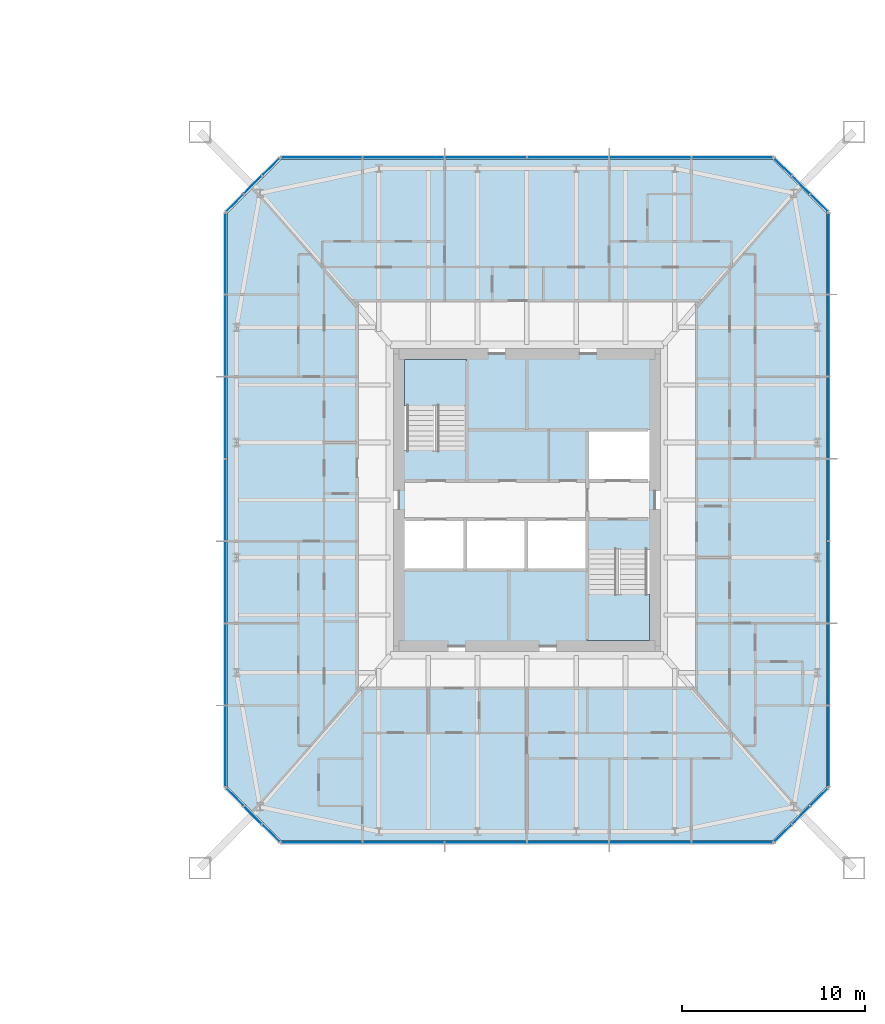
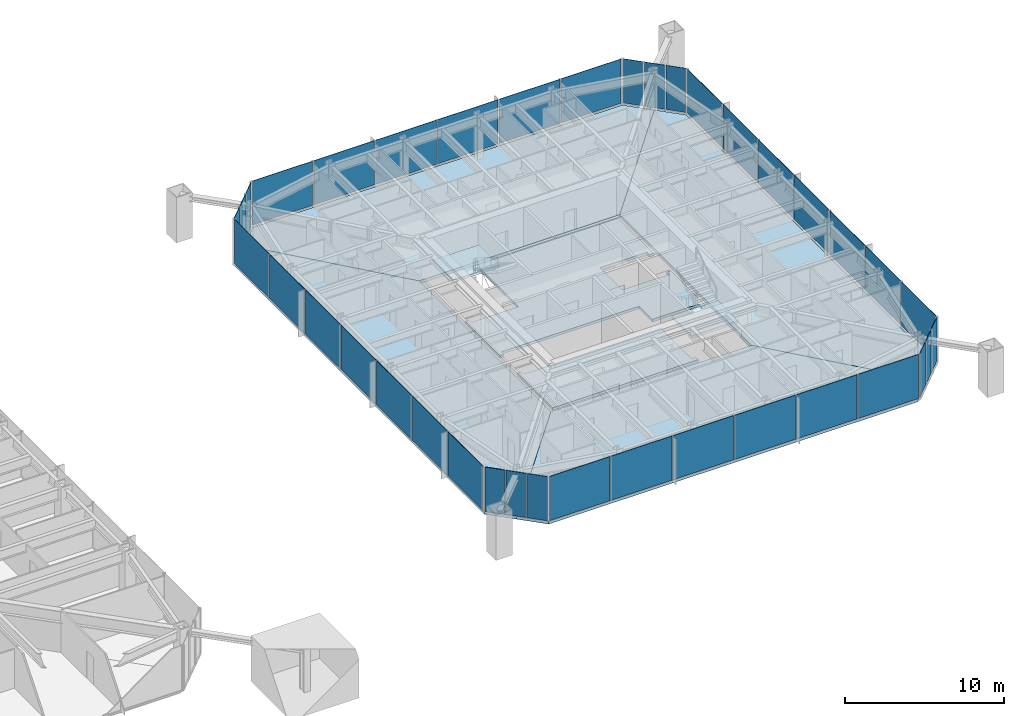
# One storey, part 13 of 26: 38 plates, 8 slabs, 10 elements without a shape of their own.
"""IFC4 building model written with IfcOpenShell, lengths in metres."""

import ifcopenshell
import ifcopenshell.guid

model = None  # the IFC model being written
_history = None  # IfcOwnerHistory: only IFC2X3 demands one
_inside = {}  # id of a spatial element -> (the spatial element, [elements in it])
_under = {}  # id of a project, library or spatial element -> (it, [spatial elements below it])
_declared = {}  # id of a project -> (the project, [libraries it declares])
_typed = {}  # id of a type object -> (the type object, [elements of that type])
_made_of = {}  # id of a material, layer set ... -> (it, [elements and type objects made of it])


def new_model(schema):
    """Start an empty IFC model of exactly this schema.

    Asked for "IFC4X3", IfcOpenShell would pick the latest addendum, in which some entities
    have other attributes; the version numbers below select the first issue.
    IFC2X3 requires an IfcOwnerHistory on every rooted entity: one is made here for all.
    """
    global model, _history
    if schema == "IFC4X3":
        model = ifcopenshell.file(schema_version=(4, 3, 0, 0))
    else:
        model = ifcopenshell.file(schema=schema)
    _inside.clear()
    _under.clear()
    _declared.clear()
    _typed.clear()
    _made_of.clear()
    _history = None
    if model.schema == "IFC2X3":
        org = make("IfcOrganization", Name="unknown")
        user = make(
            "IfcPersonAndOrganization",
            ThePerson=make("IfcPerson", FamilyName="unknown"),
            TheOrganization=org,
        )
        app = make(
            "IfcApplication",
            ApplicationDeveloper=org,
            Version="unknown",
            ApplicationFullName="unknown",
            ApplicationIdentifier="unknown",
        )
        _history = make(
            "IfcOwnerHistory",
            OwningUser=user,
            OwningApplication=app,
            ChangeAction="ADDED",
            CreationDate=0,
        )
    return model


def make(cls, **values):
    """One entity of the class cls with the attributes given. An attribute that is None is left unset."""
    return model.create_entity(
        cls, **{name: value for name, value in values.items() if value is not None}
    )


def rooted(cls, **values):
    """An entity with a GlobalId (a new one), such as an element, a storey or a relation."""
    return make(cls, GlobalId=ifcopenshell.guid.new(), OwnerHistory=_history, **values)


def si_unit(unit_type, name, prefix=None):
    """IfcSIUnit, for example si_unit("LENGTHUNIT", "METRE", prefix="MILLI")."""
    return make("IfcSIUnit", UnitType=unit_type, Prefix=prefix, Name=name)


def assignment(units):
    """IfcUnitAssignment: the units of a project."""
    return None if units is None else make("IfcUnitAssignment", Units=units)


def point(xyz):
    """IfcCartesianPoint."""
    return None if xyz is None else make("IfcCartesianPoint", Coordinates=xyz)


def direction(xyz):
    """IfcDirection."""
    return None if xyz is None else make("IfcDirection", DirectionRatios=xyz)


def frame(location, z_axis=None, x_axis=None):
    """IfcAxis2Placement3D, a coordinate frame: its origin and axes. An axis left out is left unset."""
    return make(
        "IfcAxis2Placement3D",
        Location=point(location),
        Axis=direction(z_axis),
        RefDirection=direction(x_axis),
    )


def frame_2d(location, x_axis=None):
    """IfcAxis2Placement2D, a coordinate frame in the plane: its origin and x axis."""
    return make(
        "IfcAxis2Placement2D", Location=point(location), RefDirection=direction(x_axis)
    )


def origin():
    """The frame at (0, 0, 0) with its axes left unset."""
    return frame((0.0, 0.0, 0.0))


def origin_2d():
    """The frame at (0, 0) in the plane with its x axis left unset."""
    return frame_2d((0.0, 0.0))


def place(relative_to, where):
    """IfcLocalPlacement: puts the frame where relative to a parent placement (None: the world)."""
    return make(
        "IfcLocalPlacement", PlacementRelTo=relative_to, RelativePlacement=where
    )


def context(
    kind, dimensions, precision=None, world=None, true_north=None, identifier=None
):
    """IfcGeometricRepresentationContext, for example the 3D "Model" context."""
    return make(
        "IfcGeometricRepresentationContext",
        ContextIdentifier=identifier,
        ContextType=kind,
        CoordinateSpaceDimension=dimensions,
        Precision=precision,
        WorldCoordinateSystem=world,
        TrueNorth=true_north,
    )


def subcontext(parent, identifier, kind, view, scale=None):
    """IfcGeometricRepresentationSubContext, for example "Body" below "Model"."""
    return make(
        "IfcGeometricRepresentationSubContext",
        ContextIdentifier=identifier,
        ContextType=kind,
        ParentContext=parent,
        TargetScale=scale,
        TargetView=view,
    )


def project(units=None, contexts=None):
    """IfcProject with its units and contexts."""
    return rooted(
        "IfcProject",
        Name="project",
        RepresentationContexts=contexts,
        UnitsInContext=assignment(units),
    )


def spatial(cls, under=None, at=None, **own):
    """A site, building, storey or space (cls), placed at a placement, below another one or the project."""
    s = rooted(cls, ObjectPlacement=at, **own)
    if under is not None:
        _under.setdefault(under.id(), (under, []))[1].append(s)
    return s


def polyline(points):
    """IfcPolyline through the points."""
    return make("IfcPolyline", Points=[point(p) for p in points])


def profile(cls, at=None, kind="AREA", **sizes):
    """A parametric profile (cls). Its sizes go by their IFC names, for example OverallWidth=200.0."""
    return make(cls, ProfileType=kind, Position=at, **sizes)


def rectangle(**sizes):
    """IfcRectangleProfileDef."""
    return profile("IfcRectangleProfileDef", **sizes)


def outline(outer, holes=None, kind="AREA"):
    """IfcArbitraryClosedProfileDef: a profile drawn as a closed curve; with holes, ...WithVoids."""
    if holes is None:
        return make("IfcArbitraryClosedProfileDef", ProfileType=kind, OuterCurve=outer)
    return make(
        "IfcArbitraryProfileDefWithVoids",
        ProfileType=kind,
        OuterCurve=outer,
        InnerCurves=holes,
    )


def extrude(swept, where, along, depth):
    """IfcExtrudedAreaSolid: the profile swept, set in the frame where, extruded along a direction by depth."""
    return make(
        "IfcExtrudedAreaSolid",
        SweptArea=swept,
        Position=where,
        ExtrudedDirection=direction(along),
        Depth=depth,
    )


def shape(context_of_items, identifier, shape_type, items):
    """IfcShapeRepresentation: the items that make up one representation, for example the "Body"."""
    return make(
        "IfcShapeRepresentation",
        ContextOfItems=context_of_items,
        RepresentationIdentifier=identifier,
        RepresentationType=shape_type,
        Items=items,
    )


def material(Name=None, Category=None):
    """IfcMaterial."""
    return make("IfcMaterial", Name=Name, Category=Category)


def layer(
    of_material, thickness, ventilated=None, Name=None, Category=None, Priority=None
):
    """IfcMaterialLayer: one layer of a wall or slab, of a material (None: an air gap)."""
    return make(
        "IfcMaterialLayer",
        Material=of_material,
        LayerThickness=thickness,
        IsVentilated=ventilated,
        Name=Name,
        Category=Category,
        Priority=Priority,
    )


def layer_set(layers, Name=None):
    """IfcMaterialLayerSet."""
    return make("IfcMaterialLayerSet", MaterialLayers=layers, LayerSetName=Name)


def constituent(of_material, Name=None, Category=None, fraction=None):
    """IfcMaterialConstituent: one of the materials an element consists of."""
    return make(
        "IfcMaterialConstituent",
        Name=Name,
        Material=of_material,
        Fraction=fraction,
        Category=Category,
    )


def constituent_set(constituents=None, Name=None):
    """IfcMaterialConstituentSet."""
    return make(
        "IfcMaterialConstituentSet", Name=Name, MaterialConstituents=constituents
    )


def made_of(thing, what):
    """Note that an element or type object is made of a material, layer set ...; save() writes the relation."""
    if what is not None:
        _made_of.setdefault(what.id(), (what, []))[1].append(thing)
    return thing


def type_object(cls, material=None, **own):
    """A type object (cls), such as IfcWallType, which elements share."""
    return made_of(rooted(cls, **own), material)


def element(
    cls,
    number,
    at=None,
    inside=None,
    cuts=None,
    type_object=None,
    material=None,
    context=None,
    identifier="Body",
    shape_type=None,
    held_by="IfcProductDefinitionShape",
    body=None,
    shapes=None,
    **own,
):
    """One element of the class cls, such as IfcWall. Its Tag is "e" and its number.

    at: its placement. inside: the storey or other place that contains it. cuts: it is an
    opening in that element (IfcRelVoidsElement). A single representation is given by context,
    identifier, shape_type and body (its items); several are given by shapes. held_by: the class
    of the entity that holds the representations. save() writes the other relations.
    """
    e = rooted(cls, Tag="e%d" % number, ObjectPlacement=at, **own)
    if body is not None:
        shapes = [shape(context, identifier, shape_type, body)]
    if shapes is not None:
        e.Representation = make(held_by, Representations=shapes)
    if inside is not None:
        _inside.setdefault(inside.id(), (inside, []))[1].append(e)
    if cuts is not None:
        rooted(
            "IfcRelVoidsElement", RelatingBuildingElement=cuts, RelatedOpeningElement=e
        )
    if type_object is not None:
        _typed.setdefault(type_object.id(), (type_object, []))[1].append(e)
    return made_of(e, material)


def aggregate(whole, parts):
    """IfcRelAggregates: a whole, such as a stair, and the parts it consists of."""
    return rooted("IfcRelAggregates", RelatingObject=whole, RelatedObjects=parts)


def save(model, path):
    """Write the relations noted so far, then the file.

    IfcRelAggregates (storeys below a building ...), IfcRelContainedInSpatialStructure (elements
    in a storey), IfcRelDefinesByType, IfcRelAssociatesMaterial and IfcRelDeclares: one each for
    every whole, place, type object, material and project.
    """
    for whole, parts in _under.values():
        aggregate(whole, parts)
    for where, things in _inside.values():
        rooted(
            "IfcRelContainedInSpatialStructure",
            RelatedElements=things,
            RelatingStructure=where,
        )
    for kind, things in _typed.values():
        rooted("IfcRelDefinesByType", RelatedObjects=things, RelatingType=kind)
    for what, things in _made_of.values():
        rooted("IfcRelAssociatesMaterial", RelatedObjects=things, RelatingMaterial=what)
    for by, libraries in _declared.values():
        rooted("IfcRelDeclares", RelatingContext=by, RelatedDefinitions=libraries)
    model.write(path)


model = new_model("IFC4")

# Units and contexts
model_context = context("Model", 3, precision=1e-05, world=origin(), true_north=direction((0.0, 1.0)))
body_context = subcontext(model_context, "Body", "Model", "MODEL_VIEW")
ifc_project = project(units=[si_unit("LENGTHUNIT", "METRE"), si_unit("AREAUNIT", "SQUARE_METRE"), si_unit("VOLUMEUNIT", "CUBIC_METRE"), si_unit("PLANEANGLEUNIT", "RADIAN"), si_unit("MASSUNIT", "GRAM", prefix="KILO")], contexts=[model_context])

# Site, building, storey
site_placement = place(None, origin())
site = spatial("IfcSite", under=ifc_project, at=site_placement, CompositionType="ELEMENT")
building_placement = place(site_placement, origin())
building = spatial("IfcBuilding", under=site, at=building_placement, Name="Iwan Alto Co-Living Towers", CompositionType="ELEMENT")
storey_placement = place(building_placement, frame((0.0, 0.0, 36.0)))
storey = spatial("IfcBuildingStorey", under=building, at=storey_placement, Name="L09", CompositionType="ELEMENT", Elevation=36.0)

# Slabs
ifc_material_1 = material(Name="Concrete f'c 30 MPa", Category="concrete")
ifc_layer_1 = layer(ifc_material_1, 0.199951171875)
ifc_layer_set_1 = layer_set([ifc_layer_1], Name="CORE FLOOR SLAB 200")
slab_type_1 = type_object("IfcSlabType", Name="CORE FLOOR SLAB 200", PredefinedType="FLOOR", material=ifc_layer_set_1)
slab_1_placement = place(storey_placement, frame((0.0, 0.0, -0.199951171875)))
element("IfcSlab", 1, at=slab_1_placement, inside=storey, type_object=slab_type_1, Name="T2 core floor L09", PredefinedType="FLOOR", context=body_context, shape_type="SweptSolid", body=[
    extrude(outline(polyline([(70.0, -3.030029296875), (69.699951171875, -3.030029296875), (69.699951171875, -2.719970703125), (66.300048828125, -2.719970703125), (66.300048828125, -1.050048828125), (62.967041015625, -1.050048828125), (59.633056640625, -1.050048828125), (56.300048828125, -1.050048828125), (56.300048828125, -1.360107421875), (56.0, -1.360107421875), (56.0, 3.030029296875), (56.300048828125, 3.030029296875), (56.300048828125, 2.719970703125), (59.699951171875, 2.719970703125), (59.699951171875, 7.699951171875), (59.389892578125, 7.699951171875), (59.389892578125, 8.0), (70.0, 8.0), (70.0, 3.5400390625), (69.699951171875, 3.5400390625), (69.699951171875, 3.85009765625), (66.300048828125, 3.85009765625), (66.300048828125, 1.050048828125), (69.699951171875, 1.050048828125), (69.699951171875, 1.360107421875), (70.0, 1.360107421875), (70.0, -3.030029296875)])), origin(), (0.0, 0.0, 1.0), 0.199951171875),
])
slab_2_placement = place(storey_placement, frame((0.0, 0.0, -0.199951171875)))
element("IfcSlab", 2, at=slab_2_placement, inside=storey, type_object=slab_type_1, Name="T2 core floor L09", PredefinedType="FLOOR", context=body_context, shape_type="SweptSolid", body=[
    extrude(outline(polyline([(62.967041015625, -3.85009765625), (66.300048828125, -3.85009765625), (66.300048828125, -7.699951171875), (66.610107421875, -7.699951171875), (66.610107421875, -8.0), (56.0, -8.0), (56.0, -3.5400390625), (56.300048828125, -3.5400390625), (56.300048828125, -3.85009765625), (59.633056640625, -3.85009765625), (62.967041015625, -3.85009765625)])), origin(), (0.0, 0.0, 1.0), 0.199951171875),
])

# Curtain wall, plates
ifc_material_2 = material(Name="Bronze aluminium unitised frame", Category="aluminium")
curtain_wall_type_1 = type_object("IfcCurtainWallType", Name="CURTAIN WALL CW-C", PredefinedType="NOTDEFINED", material=ifc_material_2)
curtain_wall_1_placement = place(storey_placement, origin())
curtain_wall_1 = element("IfcCurtainWall", 3, at=curtain_wall_1_placement, inside=storey, type_object=curtain_wall_type_1, Name="T2 curtain wall S L09", PredefinedType="NOTDEFINED")
ifc_material_3 = material(Name="Bronze-tinted insulating glass", Category="glass")
ifc_layer_2 = layer(ifc_material_3, 0.031982421875)
ifc_layer_set_2 = layer_set([ifc_layer_2], Name="CW-C PANEL TINTED IGU 32")
plate_type_1 = type_object("IfcPlateType", Name="CW-C PANEL TINTED IGU 32", PredefinedType="CURTAIN_PANEL", material=ifc_layer_set_2)
plate_1_placement = place(storey_placement, frame((51.77001953125, -18.75, 0.10009765625), z_axis=(0.0, 0.0, 1.0), x_axis=(1.0, 0.0, 0.0)))
plate_1 = element("IfcPlate", 4, at=plate_1_placement, type_object=plate_type_1, Name="CW-C panel 1.1", PredefinedType="CURTAIN_PANEL", context=body_context, shape_type="SweptSolid", body=[
    extrude(rectangle(XDim=4.3798828125, YDim=0.031982421875, at=origin_2d()), origin(), (0.0, 0.0, 1.0), 3.39990234375),
])
plate_2_placement = place(storey_placement, frame((56.25, -18.75, 0.10009765625), z_axis=(0.0, 0.0, 1.0), x_axis=(1.0, 0.0, 0.0)))
plate_2 = element("IfcPlate", 5, at=plate_2_placement, type_object=plate_type_1, Name="CW-C panel 2.1", PredefinedType="CURTAIN_PANEL", context=body_context, shape_type="SweptSolid", body=[
    extrude(rectangle(XDim=4.419921875, YDim=0.031982421875, at=origin_2d()), origin(), (0.0, 0.0, 1.0), 3.39990234375),
])
plate_3_placement = place(storey_placement, frame((60.75, -18.75, 0.10009765625), z_axis=(0.0, 0.0, 1.0), x_axis=(1.0, 0.0, 0.0)))
plate_3 = element("IfcPlate", 6, at=plate_3_placement, type_object=plate_type_1, Name="CW-C panel 3.1", PredefinedType="CURTAIN_PANEL", context=body_context, shape_type="SweptSolid", body=[
    extrude(rectangle(XDim=4.419921875, YDim=0.031982421875, at=origin_2d()), origin(), (0.0, 0.0, 1.0), 3.39990234375),
])
plate_4_placement = place(storey_placement, frame((65.25, -18.75, 0.10009765625), z_axis=(0.0, 0.0, 1.0), x_axis=(1.0, 0.0, 0.0)))
plate_4 = element("IfcPlate", 7, at=plate_4_placement, type_object=plate_type_1, Name="CW-C panel 4.1", PredefinedType="CURTAIN_PANEL", context=body_context, shape_type="SweptSolid", body=[
    extrude(rectangle(XDim=4.419921875, YDim=0.031982421875, at=origin_2d()), origin(), (0.0, 0.0, 1.0), 3.39990234375),
])
plate_5_placement = place(storey_placement, frame((69.75, -18.75, 0.10009765625), z_axis=(0.0, 0.0, 1.0), x_axis=(1.0, 0.0, 0.0)))
plate_5 = element("IfcPlate", 8, at=plate_5_placement, type_object=plate_type_1, Name="CW-C panel 5.1", PredefinedType="CURTAIN_PANEL", context=body_context, shape_type="SweptSolid", body=[
    extrude(rectangle(XDim=4.419921875, YDim=0.031982421875, at=origin_2d()), origin(), (0.0, 0.0, 1.0), 3.39990234375),
])
plate_6_placement = place(storey_placement, frame((74.22998046875, -18.75, 0.10009765625), z_axis=(0.0, 0.0, 1.0), x_axis=(1.0, 0.0, 0.0)))
plate_6 = element("IfcPlate", 9, at=plate_6_placement, type_object=plate_type_1, Name="CW-C panel 6.1", PredefinedType="CURTAIN_PANEL", context=body_context, shape_type="SweptSolid", body=[
    extrude(rectangle(XDim=4.3798828125, YDim=0.031982421875, at=origin_2d()), origin(), (0.0, 0.0, 1.0), 3.39990234375),
])
aggregate(curtain_wall_1, [plate_1, plate_2, plate_3, plate_4, plate_5, plate_6])

curtain_wall_2_placement = place(storey_placement, origin())
curtain_wall_2 = element("IfcCurtainWall", 10, at=curtain_wall_2_placement, inside=storey, type_object=curtain_wall_type_1, Name="T2 curtain wall E L09", PredefinedType="NOTDEFINED")
plate_7_placement = place(storey_placement, frame((79.5, -13.47998046875, 0.10009765625), z_axis=(0.0, 0.0, 1.0), x_axis=(0.0, 1.0, 0.0)))
plate_7 = element("IfcPlate", 11, at=plate_7_placement, type_object=plate_type_1, Name="CW-C panel 1.1", PredefinedType="CURTAIN_PANEL", context=body_context, shape_type="SweptSolid", body=[
    extrude(rectangle(XDim=4.3798828125, YDim=0.031982421875, at=origin_2d()), origin(), (0.0, 0.0, 1.0), 3.39990234375),
])
plate_8_placement = place(storey_placement, frame((79.5, -9.0, 0.10009765625), z_axis=(0.0, 0.0, 1.0), x_axis=(0.0, 1.0, 0.0)))
plate_8 = element("IfcPlate", 12, at=plate_8_placement, type_object=plate_type_1, Name="CW-C panel 2.1", PredefinedType="CURTAIN_PANEL", context=body_context, shape_type="SweptSolid", body=[
    extrude(rectangle(XDim=4.419921875, YDim=0.031982421875, at=origin_2d()), origin(), (0.0, 0.0, 1.0), 3.39990234375),
])
plate_9_placement = place(storey_placement, frame((79.5, -4.5, 0.10009765625), z_axis=(0.0, 0.0, 1.0), x_axis=(0.0, 1.0, 0.0)))
plate_9 = element("IfcPlate", 13, at=plate_9_placement, type_object=plate_type_1, Name="CW-C panel 3.1", PredefinedType="CURTAIN_PANEL", context=body_context, shape_type="SweptSolid", body=[
    extrude(rectangle(XDim=4.419921875, YDim=0.031982421875, at=origin_2d()), origin(), (0.0, 0.0, 1.0), 3.39990234375),
])
plate_10_placement = place(storey_placement, frame((79.5, 0.0, 0.10009765625), z_axis=(0.0, 0.0, 1.0), x_axis=(0.0, 1.0, 0.0)))
plate_10 = element("IfcPlate", 14, at=plate_10_placement, type_object=plate_type_1, Name="CW-C panel 4.1", PredefinedType="CURTAIN_PANEL", context=body_context, shape_type="SweptSolid", body=[
    extrude(rectangle(XDim=4.419921875, YDim=0.031982421875, at=origin_2d()), origin(), (0.0, 0.0, 1.0), 3.39990234375),
])
plate_11_placement = place(storey_placement, frame((79.5, 4.5, 0.10009765625), z_axis=(0.0, 0.0, 1.0), x_axis=(0.0, 1.0, 0.0)))
plate_11 = element("IfcPlate", 15, at=plate_11_placement, type_object=plate_type_1, Name="CW-C panel 5.1", PredefinedType="CURTAIN_PANEL", context=body_context, shape_type="SweptSolid", body=[
    extrude(rectangle(XDim=4.419921875, YDim=0.031982421875, at=origin_2d()), origin(), (0.0, 0.0, 1.0), 3.39990234375),
])
plate_12_placement = place(storey_placement, frame((79.5, 9.0, 0.10009765625), z_axis=(0.0, 0.0, 1.0), x_axis=(0.0, 1.0, 0.0)))
plate_12 = element("IfcPlate", 16, at=plate_12_placement, type_object=plate_type_1, Name="CW-C panel 6.1", PredefinedType="CURTAIN_PANEL", context=body_context, shape_type="SweptSolid", body=[
    extrude(rectangle(XDim=4.419921875, YDim=0.031982421875, at=origin_2d()), origin(), (0.0, 0.0, 1.0), 3.39990234375),
])
plate_13_placement = place(storey_placement, frame((79.5, 13.47998046875, 0.10009765625), z_axis=(0.0, 0.0, 1.0), x_axis=(0.0, 1.0, 0.0)))
plate_13 = element("IfcPlate", 17, at=plate_13_placement, type_object=plate_type_1, Name="CW-C panel 7.1", PredefinedType="CURTAIN_PANEL", context=body_context, shape_type="SweptSolid", body=[
    extrude(rectangle(XDim=4.3798828125, YDim=0.031982421875, at=origin_2d()), origin(), (0.0, 0.0, 1.0), 3.39990234375),
])
aggregate(curtain_wall_2, [plate_7, plate_8, plate_9, plate_10, plate_11, plate_12, plate_13])

curtain_wall_3_placement = place(storey_placement, origin())
curtain_wall_3 = element("IfcCurtainWall", 18, at=curtain_wall_3_placement, inside=storey, type_object=curtain_wall_type_1, Name="T2 curtain wall N L09", PredefinedType="NOTDEFINED")
plate_14_placement = place(storey_placement, frame((74.22998046875, 18.75, 0.10009765625), z_axis=(0.0, 0.0, 1.0), x_axis=(-1.0, 0.0, 0.0)))
plate_14 = element("IfcPlate", 19, at=plate_14_placement, type_object=plate_type_1, Name="CW-C panel 1.1", PredefinedType="CURTAIN_PANEL", context=body_context, shape_type="SweptSolid", body=[
    extrude(rectangle(XDim=4.3798828125, YDim=0.031982421875, at=origin_2d()), origin(), (0.0, 0.0, 1.0), 3.39990234375),
])
plate_15_placement = place(storey_placement, frame((69.75, 18.75, 0.10009765625), z_axis=(0.0, 0.0, 1.0), x_axis=(-1.0, 0.0, 0.0)))
plate_15 = element("IfcPlate", 20, at=plate_15_placement, type_object=plate_type_1, Name="CW-C panel 2.1", PredefinedType="CURTAIN_PANEL", context=body_context, shape_type="SweptSolid", body=[
    extrude(rectangle(XDim=4.419921875, YDim=0.031982421875, at=origin_2d()), origin(), (0.0, 0.0, 1.0), 3.39990234375),
])
plate_16_placement = place(storey_placement, frame((65.25, 18.75, 0.10009765625), z_axis=(0.0, 0.0, 1.0), x_axis=(-1.0, 0.0, 0.0)))
plate_16 = element("IfcPlate", 21, at=plate_16_placement, type_object=plate_type_1, Name="CW-C panel 3.1", PredefinedType="CURTAIN_PANEL", context=body_context, shape_type="SweptSolid", body=[
    extrude(rectangle(XDim=4.419921875, YDim=0.031982421875, at=origin_2d()), origin(), (0.0, 0.0, 1.0), 3.39990234375),
])
plate_17_placement = place(storey_placement, frame((60.75, 18.75, 0.10009765625), z_axis=(0.0, 0.0, 1.0), x_axis=(-1.0, 0.0, 0.0)))
plate_17 = element("IfcPlate", 22, at=plate_17_placement, type_object=plate_type_1, Name="CW-C panel 4.1", PredefinedType="CURTAIN_PANEL", context=body_context, shape_type="SweptSolid", body=[
    extrude(rectangle(XDim=4.419921875, YDim=0.031982421875, at=origin_2d()), origin(), (0.0, 0.0, 1.0), 3.39990234375),
])
plate_18_placement = place(storey_placement, frame((56.25, 18.75, 0.10009765625), z_axis=(0.0, 0.0, 1.0), x_axis=(-1.0, 0.0, 0.0)))
plate_18 = element("IfcPlate", 23, at=plate_18_placement, type_object=plate_type_1, Name="CW-C panel 5.1", PredefinedType="CURTAIN_PANEL", context=body_context, shape_type="SweptSolid", body=[
    extrude(rectangle(XDim=4.419921875, YDim=0.031982421875, at=origin_2d()), origin(), (0.0, 0.0, 1.0), 3.39990234375),
])
plate_19_placement = place(storey_placement, frame((51.77001953125, 18.75, 0.10009765625), z_axis=(0.0, 0.0, 1.0), x_axis=(-1.0, 0.0, 0.0)))
plate_19 = element("IfcPlate", 24, at=plate_19_placement, type_object=plate_type_1, Name="CW-C panel 6.1", PredefinedType="CURTAIN_PANEL", context=body_context, shape_type="SweptSolid", body=[
    extrude(rectangle(XDim=4.3798828125, YDim=0.031982421875, at=origin_2d()), origin(), (0.0, 0.0, 1.0), 3.39990234375),
])
aggregate(curtain_wall_3, [plate_14, plate_15, plate_16, plate_17, plate_18, plate_19])

curtain_wall_4_placement = place(storey_placement, origin())
curtain_wall_4 = element("IfcCurtainWall", 25, at=curtain_wall_4_placement, inside=storey, type_object=curtain_wall_type_1, Name="T2 curtain wall W L09", PredefinedType="NOTDEFINED")
plate_20_placement = place(storey_placement, frame((46.5, 13.47998046875, 0.10009765625), z_axis=(0.0, 0.0, 1.0), x_axis=(0.0, -1.0, 0.0)))
plate_20 = element("IfcPlate", 26, at=plate_20_placement, type_object=plate_type_1, Name="CW-C panel 1.1", PredefinedType="CURTAIN_PANEL", context=body_context, shape_type="SweptSolid", body=[
    extrude(rectangle(XDim=4.3798828125, YDim=0.031982421875, at=origin_2d()), origin(), (0.0, 0.0, 1.0), 3.39990234375),
])
plate_21_placement = place(storey_placement, frame((46.5, 9.0, 0.10009765625), z_axis=(0.0, 0.0, 1.0), x_axis=(0.0, -1.0, 0.0)))
plate_21 = element("IfcPlate", 27, at=plate_21_placement, type_object=plate_type_1, Name="CW-C panel 2.1", PredefinedType="CURTAIN_PANEL", context=body_context, shape_type="SweptSolid", body=[
    extrude(rectangle(XDim=4.419921875, YDim=0.031982421875, at=origin_2d()), origin(), (0.0, 0.0, 1.0), 3.39990234375),
])
plate_22_placement = place(storey_placement, frame((46.5, 4.5, 0.10009765625), z_axis=(0.0, 0.0, 1.0), x_axis=(0.0, -1.0, 0.0)))
plate_22 = element("IfcPlate", 28, at=plate_22_placement, type_object=plate_type_1, Name="CW-C panel 3.1", PredefinedType="CURTAIN_PANEL", context=body_context, shape_type="SweptSolid", body=[
    extrude(rectangle(XDim=4.419921875, YDim=0.031982421875, at=origin_2d()), origin(), (0.0, 0.0, 1.0), 3.39990234375),
])
plate_23_placement = place(storey_placement, frame((46.5, 0.0, 0.10009765625), z_axis=(0.0, 0.0, 1.0), x_axis=(0.0, -1.0, 0.0)))
plate_23 = element("IfcPlate", 29, at=plate_23_placement, type_object=plate_type_1, Name="CW-C panel 4.1", PredefinedType="CURTAIN_PANEL", context=body_context, shape_type="SweptSolid", body=[
    extrude(rectangle(XDim=4.419921875, YDim=0.031982421875, at=origin_2d()), origin(), (0.0, 0.0, 1.0), 3.39990234375),
])
plate_24_placement = place(storey_placement, frame((46.5, -4.5, 0.10009765625), z_axis=(0.0, 0.0, 1.0), x_axis=(0.0, -1.0, 0.0)))
plate_24 = element("IfcPlate", 30, at=plate_24_placement, type_object=plate_type_1, Name="CW-C panel 5.1", PredefinedType="CURTAIN_PANEL", context=body_context, shape_type="SweptSolid", body=[
    extrude(rectangle(XDim=4.419921875, YDim=0.031982421875, at=origin_2d()), origin(), (0.0, 0.0, 1.0), 3.39990234375),
])
plate_25_placement = place(storey_placement, frame((46.5, -9.0, 0.10009765625), z_axis=(0.0, 0.0, 1.0), x_axis=(0.0, -1.0, 0.0)))
plate_25 = element("IfcPlate", 31, at=plate_25_placement, type_object=plate_type_1, Name="CW-C panel 6.1", PredefinedType="CURTAIN_PANEL", context=body_context, shape_type="SweptSolid", body=[
    extrude(rectangle(XDim=4.419921875, YDim=0.031982421875, at=origin_2d()), origin(), (0.0, 0.0, 1.0), 3.39990234375),
])
plate_26_placement = place(storey_placement, frame((46.5, -13.47998046875, 0.10009765625), z_axis=(0.0, 0.0, 1.0), x_axis=(0.0, -1.0, 0.0)))
plate_26 = element("IfcPlate", 32, at=plate_26_placement, type_object=plate_type_1, Name="CW-C panel 7.1", PredefinedType="CURTAIN_PANEL", context=body_context, shape_type="SweptSolid", body=[
    extrude(rectangle(XDim=4.3798828125, YDim=0.031982421875, at=origin_2d()), origin(), (0.0, 0.0, 1.0), 3.39990234375),
])
aggregate(curtain_wall_4, [plate_20, plate_21, plate_22, plate_23, plate_24, plate_25, plate_26])

ifc_material_4 = material(Name="Bronze aluminium unitised frame", Category="aluminium")
curtain_wall_type_2 = type_object("IfcCurtainWallType", Name="CURTAIN WALL CW-D", PredefinedType="NOTDEFINED", material=ifc_material_4)
curtain_wall_5_placement = place(storey_placement, origin())
curtain_wall_5 = element("IfcCurtainWall", 33, at=curtain_wall_5_placement, inside=storey, type_object=curtain_wall_type_2, Name="T2 chamfer curtain wall SE L09", PredefinedType="NOTDEFINED")
ifc_material_5 = material(Name="Bronze-tinted insulating glass", Category="glass")
ifc_layer_3 = layer(ifc_material_5, 0.031982421875)
ifc_layer_set_3 = layer_set([ifc_layer_3], Name="CW-D PANEL TINTED IGU 32")
plate_type_2 = type_object("IfcPlateType", Name="CW-D PANEL TINTED IGU 32", PredefinedType="CURTAIN_PANEL", material=ifc_layer_set_3)
plate_27_placement = place(storey_placement, frame((77.01416015625, -18.23583984375, 0.10009765625), z_axis=(0.0, 0.0, 1.0), x_axis=(0.707106781187, 0.707106781187, 0.0)))
plate_27 = element("IfcPlate", 34, at=plate_27_placement, type_object=plate_type_2, Name="CW-D panel 1.1", PredefinedType="CURTAIN_PANEL", context=body_context, shape_type="SweptSolid", body=[
    extrude(rectangle(XDim=1.294189453125, YDim=0.031982421875, at=origin_2d()), origin(), (0.0, 0.0, 1.0), 3.39990234375),
])
plate_28_placement = place(storey_placement, frame((78.0, -17.25, 0.10009765625), z_axis=(0.0, 0.0, 1.0), x_axis=(0.707106781187, 0.707106781187, 0.0)))
plate_28 = element("IfcPlate", 35, at=plate_28_placement, type_object=plate_type_2, Name="CW-D panel 2.1", PredefinedType="CURTAIN_PANEL", context=body_context, shape_type="SweptSolid", body=[
    extrude(rectangle(XDim=1.334228515625, YDim=0.031982421875, at=origin_2d()), origin(), (0.0, 0.0, 1.0), 3.39990234375),
])
plate_29_placement = place(storey_placement, frame((78.98583984375, -16.26416015625, 0.10009765625), z_axis=(0.0, 0.0, 1.0), x_axis=(0.707106781187, 0.707106781187, 0.0)))
plate_29 = element("IfcPlate", 36, at=plate_29_placement, type_object=plate_type_2, Name="CW-D panel 3.1", PredefinedType="CURTAIN_PANEL", context=body_context, shape_type="SweptSolid", body=[
    extrude(rectangle(XDim=1.294189453125, YDim=0.031982421875, at=origin_2d()), origin(), (0.0, 0.0, 1.0), 3.39990234375),
])
aggregate(curtain_wall_5, [plate_27, plate_28, plate_29])

curtain_wall_6_placement = place(storey_placement, origin())
curtain_wall_6 = element("IfcCurtainWall", 37, at=curtain_wall_6_placement, inside=storey, type_object=curtain_wall_type_2, Name="T2 chamfer curtain wall NE L09", PredefinedType="NOTDEFINED")
plate_30_placement = place(storey_placement, frame((78.98583984375, 16.26416015625, 0.10009765625), z_axis=(0.0, 0.0, 1.0), x_axis=(-0.707106781187, 0.707106781187, 0.0)))
plate_30 = element("IfcPlate", 38, at=plate_30_placement, type_object=plate_type_2, Name="CW-D panel 1.1", PredefinedType="CURTAIN_PANEL", context=body_context, shape_type="SweptSolid", body=[
    extrude(rectangle(XDim=1.294189453125, YDim=0.031982421875, at=origin_2d()), origin(), (0.0, 0.0, 1.0), 3.39990234375),
])
plate_31_placement = place(storey_placement, frame((78.0, 17.25, 0.10009765625), z_axis=(0.0, 0.0, 1.0), x_axis=(-0.707106781187, 0.707106781187, 0.0)))
plate_31 = element("IfcPlate", 39, at=plate_31_placement, type_object=plate_type_2, Name="CW-D panel 2.1", PredefinedType="CURTAIN_PANEL", context=body_context, shape_type="SweptSolid", body=[
    extrude(rectangle(XDim=1.334228515625, YDim=0.031982421875, at=origin_2d()), origin(), (0.0, 0.0, 1.0), 3.39990234375),
])
plate_32_placement = place(storey_placement, frame((77.01416015625, 18.23583984375, 0.10009765625), z_axis=(0.0, 0.0, 1.0), x_axis=(-0.707106781187, 0.707106781187, 0.0)))
plate_32 = element("IfcPlate", 40, at=plate_32_placement, type_object=plate_type_2, Name="CW-D panel 3.1", PredefinedType="CURTAIN_PANEL", context=body_context, shape_type="SweptSolid", body=[
    extrude(rectangle(XDim=1.294189453125, YDim=0.031982421875, at=origin_2d()), origin(), (0.0, 0.0, 1.0), 3.39990234375),
])
aggregate(curtain_wall_6, [plate_30, plate_31, plate_32])

curtain_wall_7_placement = place(storey_placement, origin())
curtain_wall_7 = element("IfcCurtainWall", 41, at=curtain_wall_7_placement, inside=storey, type_object=curtain_wall_type_2, Name="T2 chamfer curtain wall NW L09", PredefinedType="NOTDEFINED")
plate_33_placement = place(storey_placement, frame((48.98583984375, 18.23583984375, 0.10009765625), z_axis=(0.0, 0.0, 1.0), x_axis=(-0.707106781187, -0.707106781187, 0.0)))
plate_33 = element("IfcPlate", 42, at=plate_33_placement, type_object=plate_type_2, Name="CW-D panel 1.1", PredefinedType="CURTAIN_PANEL", context=body_context, shape_type="SweptSolid", body=[
    extrude(rectangle(XDim=1.294189453125, YDim=0.031982421875, at=origin_2d()), origin(), (0.0, 0.0, 1.0), 3.39990234375),
])
plate_34_placement = place(storey_placement, frame((48.0, 17.25, 0.10009765625), z_axis=(0.0, 0.0, 1.0), x_axis=(-0.707106781187, -0.707106781187, 0.0)))
plate_34 = element("IfcPlate", 43, at=plate_34_placement, type_object=plate_type_2, Name="CW-D panel 2.1", PredefinedType="CURTAIN_PANEL", context=body_context, shape_type="SweptSolid", body=[
    extrude(rectangle(XDim=1.334228515625, YDim=0.031982421875, at=origin_2d()), origin(), (0.0, 0.0, 1.0), 3.39990234375),
])
plate_35_placement = place(storey_placement, frame((47.01416015625, 16.26416015625, 0.10009765625), z_axis=(0.0, 0.0, 1.0), x_axis=(-0.707106781187, -0.707106781187, 0.0)))
plate_35 = element("IfcPlate", 44, at=plate_35_placement, type_object=plate_type_2, Name="CW-D panel 3.1", PredefinedType="CURTAIN_PANEL", context=body_context, shape_type="SweptSolid", body=[
    extrude(rectangle(XDim=1.294189453125, YDim=0.031982421875, at=origin_2d()), origin(), (0.0, 0.0, 1.0), 3.39990234375),
])
aggregate(curtain_wall_7, [plate_33, plate_34, plate_35])

curtain_wall_8_placement = place(storey_placement, origin())
curtain_wall_8 = element("IfcCurtainWall", 45, at=curtain_wall_8_placement, inside=storey, type_object=curtain_wall_type_2, Name="T2 chamfer curtain wall SW L09", PredefinedType="NOTDEFINED")
plate_36_placement = place(storey_placement, frame((47.01416015625, -16.26416015625, 0.10009765625), z_axis=(0.0, 0.0, 1.0), x_axis=(0.707106781187, -0.707106781187, 0.0)))
plate_36 = element("IfcPlate", 46, at=plate_36_placement, type_object=plate_type_2, Name="CW-D panel 1.1", PredefinedType="CURTAIN_PANEL", context=body_context, shape_type="SweptSolid", body=[
    extrude(rectangle(XDim=1.294189453125, YDim=0.031982421875, at=origin_2d()), origin(), (0.0, 0.0, 1.0), 3.39990234375),
])
plate_37_placement = place(storey_placement, frame((48.0, -17.25, 0.10009765625), z_axis=(0.0, 0.0, 1.0), x_axis=(0.707106781187, -0.707106781187, 0.0)))
plate_37 = element("IfcPlate", 47, at=plate_37_placement, type_object=plate_type_2, Name="CW-D panel 2.1", PredefinedType="CURTAIN_PANEL", context=body_context, shape_type="SweptSolid", body=[
    extrude(rectangle(XDim=1.334228515625, YDim=0.031982421875, at=origin_2d()), origin(), (0.0, 0.0, 1.0), 3.39990234375),
])
plate_38_placement = place(storey_placement, frame((48.98583984375, -18.23583984375, 0.10009765625), z_axis=(0.0, 0.0, 1.0), x_axis=(0.707106781187, -0.707106781187, 0.0)))
plate_38 = element("IfcPlate", 48, at=plate_38_placement, type_object=plate_type_2, Name="CW-D panel 3.1", PredefinedType="CURTAIN_PANEL", context=body_context, shape_type="SweptSolid", body=[
    extrude(rectangle(XDim=1.294189453125, YDim=0.031982421875, at=origin_2d()), origin(), (0.0, 0.0, 1.0), 3.39990234375),
])
aggregate(curtain_wall_8, [plate_36, plate_37, plate_38])

# Stair, slab
ifc_material_6 = material(Name="Steel ASTM A36", Category="steel")
ifc_constituent_1 = constituent(ifc_material_6, Name="Stringers", Category="LoadBearing")
ifc_material_7 = material(Name="Concrete f'c 30 MPa", Category="concrete")
ifc_constituent_2 = constituent(ifc_material_7, Name="Tread fill", Category="Finish")
ifc_constituent_set = constituent_set(constituents=[ifc_constituent_1, ifc_constituent_2], Name="STAIR 3500 TWO-FLIGHT T2 CORE")
stair_type = type_object("IfcStairType", Name="STAIR 3500 TWO-FLIGHT T2 CORE", PredefinedType="HALF_TURN_STAIR", material=ifc_constituent_set)
stair_1_placement = place(storey_placement, origin())
stair_1 = element("IfcStair", 49, at=stair_1_placement, inside=storey, type_object=stair_type, Name="Stair T2-S1 L09 to L10", PredefinedType="HALF_TURN_STAIR")
ifc_material_8 = material(Name="Concrete f'c 30 MPa", Category="concrete")
ifc_layer_4 = layer(ifc_material_8, 0.199951171875)
ifc_layer_set_4 = layer_set([ifc_layer_4], Name="STAIR LANDING 200")
slab_type_2 = type_object("IfcSlabType", Name="STAIR LANDING 200", PredefinedType="LANDING", material=ifc_layer_set_4)
slab_3_placement = place(storey_placement, frame((0.0, 0.0, 1.550048828125)))
slab_3 = element("IfcSlab", 50, at=slab_3_placement, type_object=slab_type_2, Name="T2-S1 landing 1", PredefinedType="LANDING", context=body_context, shape_type="SweptSolid", body=[
    extrude(outline(polyline([(56.300048828125, 5.139892578125), (56.300048828125, 7.699951171875), (59.699951171875, 7.699951171875), (59.699951171875, 5.139892578125), (56.300048828125, 5.139892578125)])), origin(), (0.0, 0.0, 1.0), 0.199951171875),
])
aggregate(stair_1, [slab_3])

stair_2_placement = place(storey_placement, origin())
stair_2 = element("IfcStair", 51, at=stair_2_placement, inside=storey, type_object=stair_type, Name="Stair T2-S2 L09 to L10", PredefinedType="HALF_TURN_STAIR")
slab_4_placement = place(storey_placement, frame((0.0, 0.0, 1.550048828125)))
slab_4 = element("IfcSlab", 52, at=slab_4_placement, type_object=slab_type_2, Name="T2-S2 landing 1", PredefinedType="LANDING", context=body_context, shape_type="SweptSolid", body=[
    extrude(outline(polyline([(66.300048828125, -5.139892578125), (66.300048828125, -7.699951171875), (69.699951171875, -7.699951171875), (69.699951171875, -5.139892578125), (66.300048828125, -5.139892578125)])), origin(), (0.0, 0.0, 1.0), 0.199951171875),
])
aggregate(stair_2, [slab_4])

# Slabs
ifc_material_9 = material(Name="Concrete f'c 30 MPa", Category="concrete")
ifc_layer_5 = layer(ifc_material_9, 0.22998046875)
ifc_layer_set_5 = layer_set([ifc_layer_5], Name="T2 FLOOR SLAB 230")
slab_type_3 = type_object("IfcSlabType", Name="T2 FLOOR SLAB 230", PredefinedType="FLOOR", material=ifc_layer_set_5)
slab_5_placement = place(storey_placement, frame((0.0, 0.0, -0.22998046875)))
element("IfcSlab", 53, at=slab_5_placement, inside=storey, type_object=slab_type_3, Name="T2 floor slab L09 S pour", PredefinedType="FLOOR", context=body_context, shape_type="SweptSolid", body=[
    extrude(outline(polyline([(76.44140625, -18.64990234375), (49.55859375, -18.64990234375), (48.07568359375, -17.1669921875), (55.699951171875, -8.300048828125), (70.300048828125, -8.300048828125), (77.92431640625, -17.1669921875), (76.44140625, -18.64990234375)])), origin(), (0.0, 0.0, 1.0), 0.22998046875),
])
slab_6_placement = place(storey_placement, frame((0.0, 0.0, -0.22998046875)))
element("IfcSlab", 54, at=slab_6_placement, inside=storey, type_object=slab_type_3, Name="T2 floor slab L09 E pour", PredefinedType="FLOOR", context=body_context, shape_type="SweptSolid", body=[
    extrude(outline(polyline([(79.39990234375, 15.69140625), (79.39990234375, -15.69140625), (77.92431640625, -17.1669921875), (70.300048828125, -8.300048828125), (70.300048828125, 8.300048828125), (77.92431640625, 17.1669921875), (79.39990234375, 15.69140625)])), origin(), (0.0, 0.0, 1.0), 0.22998046875),
])
slab_7_placement = place(storey_placement, frame((0.0, 0.0, -0.22998046875)))
element("IfcSlab", 55, at=slab_7_placement, inside=storey, type_object=slab_type_3, Name="T2 floor slab L09 N pour", PredefinedType="FLOOR", context=body_context, shape_type="SweptSolid", body=[
    extrude(outline(polyline([(49.55859375, 18.64990234375), (76.44140625, 18.64990234375), (77.92431640625, 17.1669921875), (70.300048828125, 8.300048828125), (55.699951171875, 8.300048828125), (48.07568359375, 17.1669921875), (49.55859375, 18.64990234375)])), origin(), (0.0, 0.0, 1.0), 0.22998046875),
])
slab_8_placement = place(storey_placement, frame((0.0, 0.0, -0.22998046875)))
element("IfcSlab", 56, at=slab_8_placement, inside=storey, type_object=slab_type_3, Name="T2 floor slab L09 W pour", PredefinedType="FLOOR", context=body_context, shape_type="SweptSolid", body=[
    extrude(outline(polyline([(46.60009765625, 15.69140625), (48.07568359375, 17.1669921875), (55.699951171875, 8.300048828125), (55.699951171875, -8.300048828125), (48.07568359375, -17.1669921875), (46.60009765625, -15.69140625), (46.60009765625, 15.69140625)])), origin(), (0.0, 0.0, 1.0), 0.22998046875),
])

save(model, "model.ifc")
